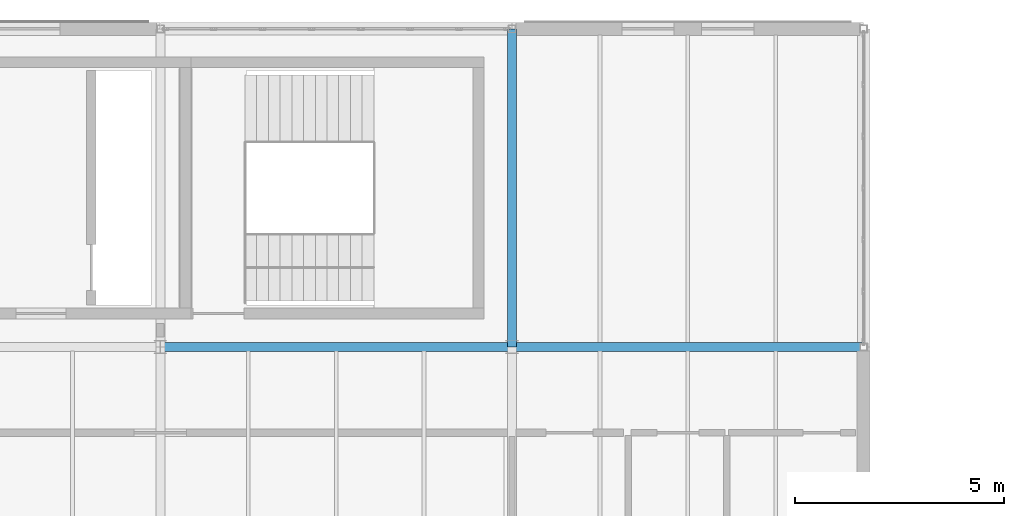
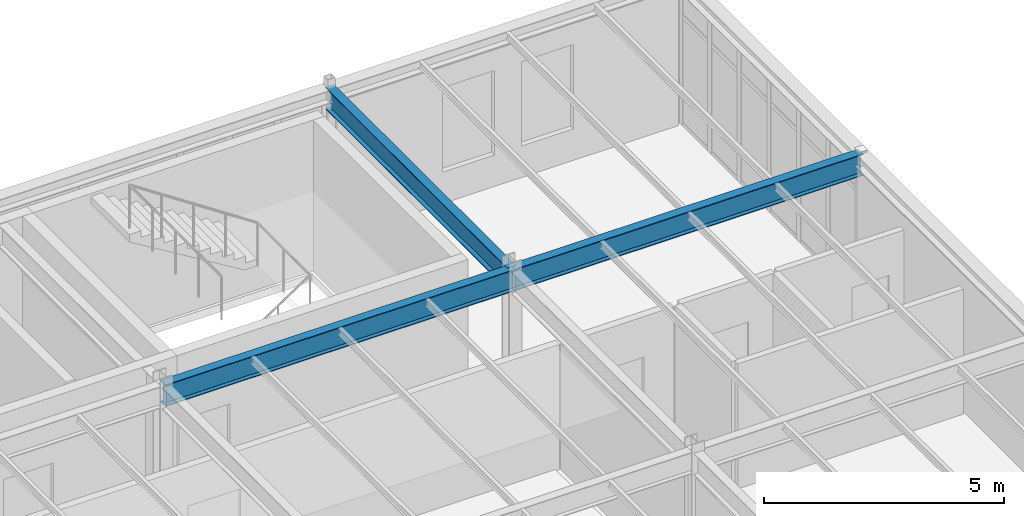
# One storey, part 25 of 65: 3 beams.
"""IFC4 building model written with IfcOpenShell, lengths in metres."""

from ifc_helpers import new_model, si_unit, direction, frame, origin, origin_2d, place, context, subcontext, project, spatial, i_section, extrude, material, material_profile, profile_set, type_object, element, save


model = new_model("IFC4")

# Units and contexts
model_context = context("Model", 3, precision=1e-05, world=origin(), true_north=direction((0.0, 1.0)))
body_context = subcontext(model_context, "Body", "Model", "MODEL_VIEW")
ifc_project = project(units=[si_unit("LENGTHUNIT", "METRE"), si_unit("AREAUNIT", "SQUARE_METRE"), si_unit("VOLUMEUNIT", "CUBIC_METRE"), si_unit("PLANEANGLEUNIT", "RADIAN"), si_unit("MASSUNIT", "GRAM", prefix="KILO")], contexts=[model_context])

# Site, building, storey
site_placement = place(None, origin())
site = spatial("IfcSite", under=ifc_project, at=site_placement, CompositionType="ELEMENT")
building_placement = place(site_placement, origin())
building = spatial("IfcBuilding", under=site, at=building_placement, Name="Montecoro Central Library", CompositionType="ELEMENT")
storey_placement = place(building_placement, frame((0.0, 0.0, 17.340087890625)))
storey = spatial("IfcBuildingStorey", under=building, at=storey_placement, Name="L04", CompositionType="ELEMENT", Elevation=17.340087890625)

# Beams
ifc_material = material(Name="Steel S355J2", Category="steel")
ifc_material_profile = material_profile(ifc_material, i_section(OverallWidth=0.2099609375, OverallDepth=0.550048828125, WebThickness=0.010986328125, FlangeThickness=0.01708984375, at=origin_2d()), Name="IPE 550")
ifc_profile_set = profile_set([ifc_material_profile], Name="Steel S355J2")
beam_type = type_object("IfcBeamType", Name="BM-G-IPE550", PredefinedType="USERDEFINED", material=ifc_profile_set)
beam_1_placement = place(storey_placement, frame((100.0048828125, 111.39990234375, 3.5498046875), z_axis=(1.0, 0.0, 0.0), x_axis=(0.0, 1.0, 0.0)))
element("IfcBeam", 1, at=beam_1_placement, inside=storey, type_object=beam_type, Name="V2-L04-BX-1314-Q", ObjectType="GIRDER", PredefinedType="USERDEFINED", context=body_context, shape_type="SweptSolid", body=[
    extrude(i_section(OverallWidth=0.2099609375, OverallDepth=0.550048828125, WebThickness=0.010986328125, FlangeThickness=0.01708984375, at=origin_2d()), origin(), (0.0, 0.0, 1.0), 8.39013671875),
])
beam_2_placement = place(storey_placement, frame((108.405029296875, 111.39990234375, 3.5498046875), z_axis=(1.0, 0.0, 0.0), x_axis=(0.0, 1.0, 0.0)))
element("IfcBeam", 2, at=beam_2_placement, inside=storey, type_object=beam_type, Name="V2-L04-BX-1415-Q", ObjectType="GIRDER", PredefinedType="USERDEFINED", context=body_context, shape_type="SweptSolid", body=[
    extrude(i_section(OverallWidth=0.2099609375, OverallDepth=0.550048828125, WebThickness=0.010986328125, FlangeThickness=0.01708984375, at=origin_2d()), origin(), (0.0, 0.0, 1.0), 8.389892578125),
])
beam_3_placement = place(storey_placement, frame((108.39990234375, 111.405029296875, 3.5498046875), z_axis=(0.0, 1.0, 0.0), x_axis=(-1.0, 0.0, 0.0)))
element("IfcBeam", 3, at=beam_3_placement, inside=storey, type_object=beam_type, Name="V2-L04-BY-14-QR", ObjectType="GIRDER", PredefinedType="USERDEFINED", context=body_context, shape_type="SweptSolid", body=[
    extrude(i_section(OverallWidth=0.2099609375, OverallDepth=0.550048828125, WebThickness=0.010986328125, FlangeThickness=0.01708984375, at=origin_2d()), origin(), (0.0, 0.0, 1.0), 7.590087890625),
])

save(model, "model.ifc")
